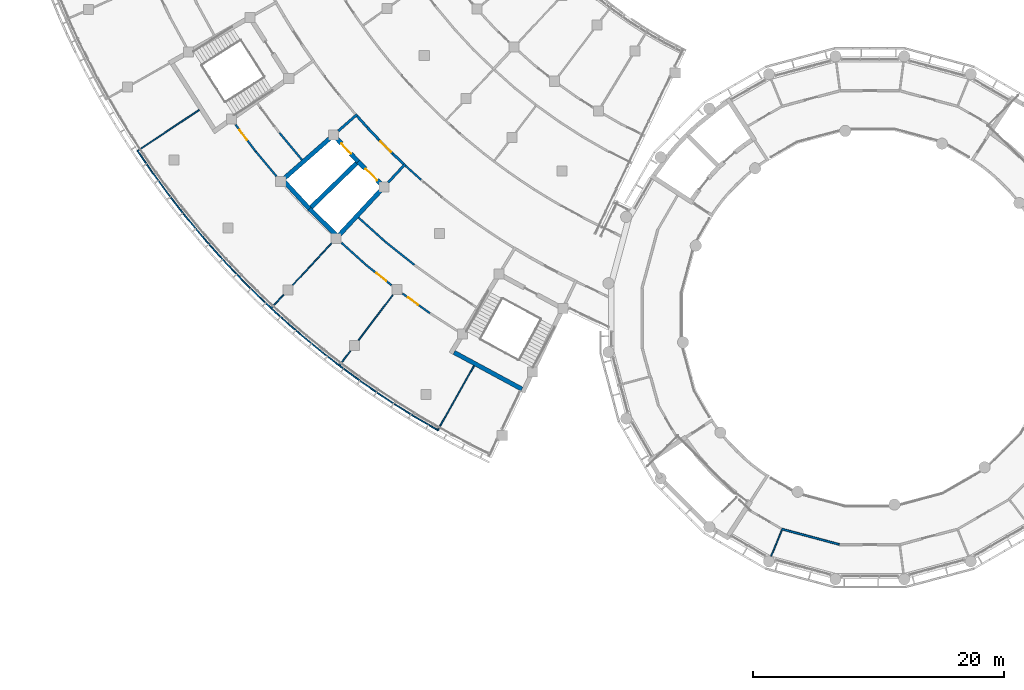
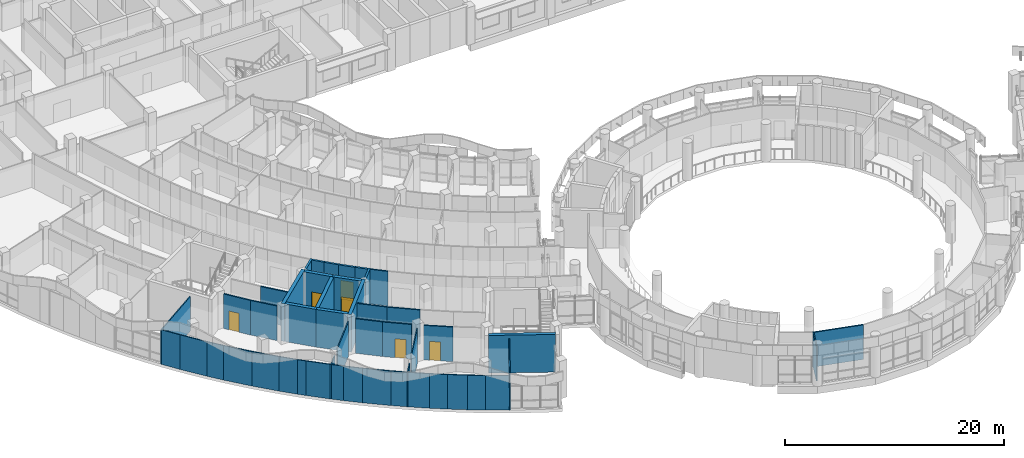
# One storey, part 44 of 109: 48 walls, 6 doors, 6 openings.
"""IFC4 building model written with IfcOpenShell, lengths in metres."""

from ifc_helpers import new_model, si_unit, direction, frame, frame_2d, origin, place, context, subcontext, project, spatial, rectangle, extrude, material, layer, layer_set, type_object, element, fill, save


model = new_model("IFC4")

# Units and contexts
model_context = context("Model", 3, precision=1e-05, world=origin(), true_north=direction((0.0, 1.0)))
body_context = subcontext(model_context, "Body", "Model", "MODEL_VIEW")
ifc_project = project(units=[si_unit("LENGTHUNIT", "METRE"), si_unit("AREAUNIT", "SQUARE_METRE"), si_unit("VOLUMEUNIT", "CUBIC_METRE"), si_unit("PLANEANGLEUNIT", "RADIAN"), si_unit("MASSUNIT", "GRAM", prefix="KILO")], contexts=[model_context])

# Site, building, storey
site_placement = place(None, origin())
site = spatial("IfcSite", under=ifc_project, at=site_placement, CompositionType="ELEMENT")
building_placement = place(site_placement, origin())
building = spatial("IfcBuilding", under=site, at=building_placement, Name="Bougainvillea Quay General Hospital", CompositionType="ELEMENT")
storey_placement = place(building_placement, frame((0.0, 0.0, 12.60009765625)))
storey = spatial("IfcBuildingStorey", under=building, at=storey_placement, Name="L02", CompositionType="ELEMENT", Elevation=12.60009765625)

# Walls
ifc_material_1 = material(Name="Gypsum board partition on steel studs", Category="steel")
ifc_layer_1 = layer(ifc_material_1, 0.10009765625)
ifc_layer_set_1 = layer_set([ifc_layer_1], Name="Gypsum board partition on steel studs")
wall_type_1 = type_object("IfcWallType", Name="Partition 100 Gypsum board partition EI 30", PredefinedType="PARTITIONING", material=ifc_layer_set_1)
wall_1_placement = place(storey_placement, frame((61.48681640625, 74.719482421875, 0.0), z_axis=(0.0, 0.0, 1.0), x_axis=(0.681355821593, 0.731952351168, 0.0)))
element("IfcWall", 1, at=wall_1_placement, inside=storey, type_object=wall_type_1, Name="Partition 100 mm EI 30", PredefinedType="PARTITIONING", context=body_context, shape_type="SweptSolid", body=[
    extrude(rectangle(XDim=1.51025390625, YDim=0.10009765625, at=frame_2d((0.755126953125, 0.0))), origin(), (0.0, 0.0, 1.0), 3.849853515625),
])
wall_2_placement = place(storey_placement, frame((63.244140625, 76.607421875, 0.0), z_axis=(0.0, 0.0, 1.0), x_axis=(0.681263193371, 0.732038565485, 0.0)))
element("IfcWall", 2, at=wall_2_placement, inside=storey, type_object=wall_type_1, Name="Partition 100 mm EI 30", PredefinedType="PARTITIONING", context=body_context, shape_type="SweptSolid", body=[
    extrude(rectangle(XDim=4.529296875, YDim=0.10009765625, at=frame_2d((2.2646484375, 0.0))), origin(), (0.0, 0.0, 1.0), 3.849853515625),
])
wall_3_placement = place(storey_placement, frame((66.923828125, 70.150146484375, 0.0), z_axis=(0.0, 0.0, 1.0), x_axis=(0.603623668166, 0.797269381846, 0.0)))
element("IfcWall", 3, at=wall_3_placement, inside=storey, type_object=wall_type_1, Name="Partition 100 mm EI 30", PredefinedType="PARTITIONING", context=body_context, shape_type="SweptSolid", body=[
    extrude(rectangle(XDim=1.506591796875, YDim=0.10009765625, at=frame_2d((0.75341796875, 0.0))), origin(), (0.0, 0.0, 1.0), 3.849853515625),
])
wall_4_placement = place(storey_placement, frame((68.4833984375, 72.210693359375, 0.0), z_axis=(0.0, 0.0, 1.0), x_axis=(0.603594766434, 0.797291262923, 0.0)))
element("IfcWall", 4, at=wall_4_placement, inside=storey, type_object=wall_type_1, Name="Partition 100 mm EI 30", PredefinedType="PARTITIONING", context=body_context, shape_type="SweptSolid", body=[
    extrude(rectangle(XDim=4.523681640625, YDim=0.10009765625, at=frame_2d((2.26171875, 0.0))), origin(), (0.0, 0.0, 1.0), 3.849853515625),
])
wall_5_placement = place(storey_placement, frame((74.763427734375, 65.00439453125, 0.0), z_axis=(0.0, 0.0, 1.0), x_axis=(0.491667244237, 0.870783165285, 0.0)))
element("IfcWall", 5, at=wall_5_placement, inside=storey, type_object=wall_type_1, Name="Partition 100 mm EI 30", PredefinedType="PARTITIONING", context=body_context, shape_type="SweptSolid", body=[
    extrude(rectangle(XDim=5.94140625, YDim=0.10009765625, at=frame_2d((2.970703125, 0.0))), origin(), (0.0, 0.0, 1.0), 3.849853515625),
])
wall_6_placement = place(storey_placement, frame((50.84228515625, 87.26220703125, 0.0), z_axis=(0.0, 0.0, 1.0), x_axis=(0.833066771492, 0.553172445297, 0.0)))
element("IfcWall", 6, at=wall_6_placement, inside=storey, type_object=wall_type_1, Name="Partition 100 mm EI 30", PredefinedType="PARTITIONING", context=body_context, shape_type="SweptSolid", body=[
    extrude(rectangle(XDim=5.94091796875, YDim=0.10009765625, at=frame_2d((2.970458984375, 0.0))), origin(), (0.0, 0.0, 1.0), 3.849853515625),
])
wall_7_placement = place(storey_placement, frame((101.335205078125, 55.01220703125, 0.0), z_axis=(0.0, 0.0, 1.0), x_axis=(0.382736345947, 0.923857613213, 0.0)))
element("IfcWall", 7, at=wall_7_placement, inside=storey, type_object=wall_type_1, Name="Partition 100 mm EI 30", PredefinedType="PARTITIONING", context=body_context, shape_type="SweptSolid", body=[
    extrude(rectangle(XDim=2.24267578125, YDim=0.10009765625, at=frame_2d((1.121337890625, 0.0))), origin(), (0.0, 0.0, 1.0), 3.849853515625),
])
wall_8_placement = place(storey_placement, frame((54.56201171875, 82.247314453125, 0.0), z_axis=(0.0, 0.0, 1.0), x_axis=(0.640436201221, -0.768011375024, 0.0)))
element("IfcWall", 8, at=wall_8_placement, inside=storey, type_object=wall_type_1, Name="Partition 100 mm EI 30", PredefinedType="PARTITIONING", context=body_context, shape_type="SweptSolid", body=[
    extrude(rectangle(XDim=2.765380859375, YDim=0.10009765625, at=frame_2d((1.3828125, 0.0))), origin(), (0.0, 0.0, 1.0), 3.849853515625),
])
wall_9_placement = place(storey_placement, frame((56.333251953125, 80.126220703125, 0.0), z_axis=(0.0, 0.0, 1.0), x_axis=(0.66858915831, -0.743631990564, 0.0)))
element("IfcWall", 9, at=wall_9_placement, inside=storey, type_object=wall_type_1, Name="Partition 100 mm EI 30", PredefinedType="PARTITIONING", context=body_context, shape_type="SweptSolid", body=[
    extrude(rectangle(XDim=2.58642578125, YDim=0.10009765625, at=frame_2d((1.293212890625, 0.0))), origin(), (0.0, 0.0, 1.0), 3.849853515625),
])
wall_10_placement = place(storey_placement, frame((51.95947265625, 85.711181640625, 0.0), z_axis=(0.0, 0.0, 1.0), x_axis=(0.591667432582, -0.806182143949, 0.0)))
element("IfcWall", 10, at=wall_10_placement, inside=storey, type_object=wall_type_1, Name="Partition 100 mm EI 30", PredefinedType="PARTITIONING", context=body_context, shape_type="SweptSolid", body=[
    extrude(rectangle(XDim=2.6826171875, YDim=0.10009765625, at=frame_2d((1.34130859375, 0.0))), origin(), (0.0, 0.0, 1.0), 3.849853515625),
])
wall_11_placement = place(storey_placement, frame((63.71044921875, 72.80078125, 0.0), z_axis=(0.0, 0.0, 1.0), x_axis=(0.771761657829, -0.635911899169, 0.0)))
element("IfcWall", 11, at=wall_11_placement, inside=storey, type_object=wall_type_1, Name="Partition 100 mm EI 30", PredefinedType="PARTITIONING", context=body_context, shape_type="SweptSolid", body=[
    extrude(rectangle(XDim=2.676025390625, YDim=0.10009765625, at=frame_2d((1.337890625, 0.0))), origin(), (0.0, 0.0, 1.0), 3.849853515625),
])
wall_12_placement = place(storey_placement, frame((59.848876953125, 76.361572265625, 0.0), z_axis=(0.0, 0.0, 1.0), x_axis=(0.721335676567, -0.692585620492, 0.0)))
element("IfcWall", 12, at=wall_12_placement, inside=storey, type_object=wall_type_1, Name="Partition 100 mm EI 30", PredefinedType="PARTITIONING", context=body_context, shape_type="SweptSolid", body=[
    extrude(rectangle(XDim=2.267333984375, YDim=0.10009765625, at=frame_2d((1.1337890625, 0.0))), origin(), (0.0, 0.0, 1.0), 3.849853515625),
])
wall_13_placement = place(storey_placement, frame((72.868896484375, 66.167236328125, 0.0), z_axis=(0.0, 0.0, 1.0), x_axis=(0.863807451605, -0.50382207827, 0.0)))
element("IfcWall", 13, at=wall_13_placement, inside=storey, type_object=wall_type_1, Name="Partition 100 mm EI 30", PredefinedType="PARTITIONING", context=body_context, shape_type="SweptSolid", body=[
    extrude(rectangle(XDim=2.1708984375, YDim=0.10009765625, at=frame_2d((1.08544921875, 0.0))), origin(), (0.0, 0.0, 1.0), 3.849853515625),
])
wall_14_placement = place(storey_placement, frame((50.91259765625, 87.248291015625, 0.0), z_axis=(0.0, 0.0, 1.0), x_axis=(0.563658336128, -0.826008038771, 0.0)))
element("IfcWall", 14, at=wall_14_placement, inside=storey, type_object=wall_type_1, Name="Partition 100 mm EI 30", PredefinedType="PARTITIONING", context=body_context, shape_type="SweptSolid", body=[
    extrude(rectangle(XDim=1.861083984375, YDim=0.10009765625, at=frame_2d((0.9306640625, 0.0))), origin(), (0.0, 0.0, 1.0), 3.849853515625),
])
wall_15_placement = place(storey_placement, frame((66.994873046875, 70.159912109375, 0.0), z_axis=(0.0, 0.0, 1.0), x_axis=(0.805218695453, -0.592977952788, 0.0)))
element("IfcWall", 15, at=wall_15_placement, inside=storey, type_object=wall_type_1, Name="Partition 100 mm EI 30", PredefinedType="PARTITIONING", context=body_context, shape_type="SweptSolid", body=[
    extrude(rectangle(XDim=1.958984375, YDim=0.10009765625, at=frame_2d((0.9794921875, 0.0))), origin(), (0.0, 0.0, 1.0), 3.849853515625),
])
wall_16_placement = place(storey_placement, frame((62.393310546875, 73.955810546875, 0.0), z_axis=(0.0, 0.0, 1.0), x_axis=(0.75241276557, -0.658691908412, 0.0)))
element("IfcWall", 16, at=wall_16_placement, inside=storey, type_object=wall_type_1, Name="Partition 100 mm EI 30", PredefinedType="PARTITIONING", context=body_context, shape_type="SweptSolid", body=[
    extrude(rectangle(XDim=1.753173828125, YDim=0.10009765625, at=frame_2d((0.87646484375, 0.0))), origin(), (0.0, 0.0, 1.0), 3.849853515625),
])
wall_17_placement = place(storey_placement, frame((53.546875, 83.55078125, 0.0), z_axis=(0.0, 0.0, 1.0), x_axis=(0.615268617412, -0.788317530205, 0.0)))
element("IfcWall", 17, at=wall_17_placement, inside=storey, type_object=wall_type_1, Name="Partition 100 mm EI 30", PredefinedType="PARTITIONING", context=body_context, shape_type="SweptSolid", body=[
    extrude(rectangle(XDim=1.653564453125, YDim=0.10009765625, at=frame_2d((0.82666015625, 0.0))), origin(), (0.0, 0.0, 1.0), 3.849853515625),
])
wall_18_placement = place(storey_placement, frame((58.0625, 78.204833984375, 0.0), z_axis=(0.0, 0.0, 1.0), x_axis=(0.691314467962, -0.722554016242, 0.0)))
element("IfcWall", 18, at=wall_18_placement, inside=storey, type_object=wall_type_1, Name="Partition 100 mm EI 30", PredefinedType="PARTITIONING", context=body_context, shape_type="SweptSolid", body=[
    extrude(rectangle(XDim=1.75048828125, YDim=0.10009765625, at=frame_2d((0.875244140625, 0.0))), origin(), (0.0, 0.0, 1.0), 3.849853515625),
])
wall_19_placement = place(storey_placement, frame((69.92626953125, 68.0576171875, 0.0), z_axis=(0.0, 0.0, 1.0), x_axis=(0.834762349, -0.55061040736, 0.0)))
element("IfcWall", 19, at=wall_19_placement, inside=storey, type_object=wall_type_1, Name="Partition 100 mm EI 30", PredefinedType="PARTITIONING", context=body_context, shape_type="SweptSolid", body=[
    extrude(rectangle(XDim=1.848876953125, YDim=0.10009765625, at=frame_2d((0.92431640625, 0.0))), origin(), (0.0, 0.0, 1.0), 3.849853515625),
])
for number, where, z_axis, x_axis, name in (
    (20, (68.572021484375, 69.000244140625, 0.0), (0.0, 0.0, 1.0), (0.821158255206, -0.570700551872, 0.0), "Partition 100 mm EI 30"),
    (21, (71.469482421875, 67.041259765625, 0.0), (0.0, 0.0, 1.0), (0.848628949845, -0.528988568388, 0.0), "Partition 100 mm EI 30"),
):
    element("IfcWall", number, at=place(storey_placement, frame(where, z_axis=z_axis, x_axis=x_axis)), inside=storey, type_object=wall_type_1, Name=name, PredefinedType="PARTITIONING", context=body_context, shape_type="SweptSolid", body=[
        extrude(rectangle(XDim=1.6513671875, YDim=0.10009765625, at=frame_2d((0.82568359375, 0.0))), origin(), (0.0, 0.0, 1.0), 3.849853515625),
    ])
wall_20_placement = place(storey_placement, frame((65.775390625, 71.101318359375, 0.0), z_axis=(0.0, 0.0, 1.0), x_axis=(0.791120835922, -0.611659891581, 0.0)))
element("IfcWall", 22, at=wall_20_placement, inside=storey, type_object=wall_type_1, Name="Partition 100 mm EI 30", PredefinedType="PARTITIONING", context=body_context, shape_type="SweptSolid", body=[
    extrude(rectangle(XDim=1.439208984375, YDim=0.10009765625, at=frame_2d((0.7197265625, 0.0))), origin(), (0.0, 0.0, 1.0), 3.849853515625),
])
wall_21_placement = place(storey_placement, frame((61.55810546875, 74.721923828125, 0.0), z_axis=(0.0, 0.0, 1.0), x_axis=(0.737725592981, -0.675100695794, 0.0)))
element("IfcWall", 23, at=wall_21_placement, inside=storey, type_object=wall_type_1, Name="Partition 100 mm EI 30", PredefinedType="PARTITIONING", context=body_context, shape_type="SweptSolid", body=[
    extrude(rectangle(XDim=1.134521484375, YDim=0.10009765625, at=frame_2d((0.5673828125, 0.0))), origin(), (0.0, 0.0, 1.0), 3.849853515625),
])
wall_22_placement = place(storey_placement, frame((59.272705078125, 76.94140625, 0.0), z_axis=(0.0, 0.0, 1.0), x_axis=(0.705912346609, -0.708299201542, 0.0)))
element("IfcWall", 24, at=wall_22_placement, inside=storey, type_object=wall_type_1, Name="Partition 100 mm EI 30", PredefinedType="PARTITIONING", context=body_context, shape_type="SweptSolid", body=[
    extrude(rectangle(XDim=0.818359375, YDim=0.10009765625, at=frame_2d((0.4091796875, 0.0))), origin(), (0.0, 0.0, 1.0), 3.849853515625),
])
ifc_material_2 = material(Name="Gypsum board partition on steel studs, insulated", Category="steel")
ifc_layer_2 = layer(ifc_material_2, 0.14990234375)
ifc_layer_set_2 = layer_set([ifc_layer_2], Name="Gypsum board partition on steel studs, insulated")
wall_type_2 = type_object("IfcWallType", Name="Partition 150 Gypsum board partition EI 30", PredefinedType="PARTITIONING", material=ifc_layer_set_2)
wall_23_placement = place(storey_placement, frame((102.152587890625, 57.179443359375, 0.0), z_axis=(0.0, 0.0, 1.0), x_axis=(0.965887773881, -0.258961016886, 0.0)))
element("IfcWall", 25, at=wall_23_placement, inside=storey, type_object=wall_type_2, Name="Partition 150 mm EI 30", PredefinedType="PARTITIONING", context=body_context, shape_type="SweptSolid", body=[
    extrude(rectangle(XDim=4.774169921875, YDim=0.14990234375, at=frame_2d((2.38720703125, 0.0))), origin(), (0.0, 0.0, 1.0), 3.849853515625),
])

# Wall, opening, door
wall_24_placement = place(storey_placement, frame((58.695068359375, 89.372802734375, 0.0), z_axis=(0.0, 0.0, 1.0), x_axis=(0.600189191088, -0.799858071724, 0.0)))
wall_24 = element("IfcWall", 26, at=wall_24_placement, inside=storey, type_object=wall_type_2, Name="Partition 150 mm EI 30", PredefinedType="PARTITIONING", context=body_context, shape_type="SweptSolid", body=[
    extrude(rectangle(XDim=2.683837890625, YDim=0.14990234375, at=frame_2d((1.341796875, 0.0))), origin(), (0.0, 0.0, 1.0), 3.849853515625),
])
opening_1_placement = place(wall_24_placement, frame((0.5263671875, 0.0, 0.0)))
opening_1 = element("IfcOpeningElement", 27, at=opening_1_placement, cuts=wall_24, Name="Opening L02.204", PredefinedType="OPENING", context=body_context, shape_type="SweptSolid", body=[
    extrude(rectangle(XDim=1.0, YDim=2.10009765625, at=frame_2d((0.5, 1.050048828125))), frame((0.0, 0.0849609375, 0.0), z_axis=(0.0, -1.0, 0.0), x_axis=(1.0, 0.0, 0.0)), (0.0, 0.0, 1.0), 0.169921875),
])
ifc_material_3 = material(Name="Solid-core timber door leaf in steel frame", Category="steel")
door_type_1 = type_object("IfcDoorType", Name="Single leaf door 1000x2100 FD30S", OperationType="NOTDEFINED", PredefinedType="DOOR", material=ifc_material_3)
door_1_placement = place(opening_1_placement, frame((1.0, 0.0, 0.0), z_axis=(0.0, 0.0, 1.0), x_axis=(-1.0, 0.0, 0.0)))
door_1 = element("IfcDoor", 28, at=door_1_placement, inside=storey, type_object=door_type_1, Name="DT15 L02.204", OperationType="SINGLE_SWING_RIGHT", OverallHeight=2.10009765625, OverallWidth=1.0, PredefinedType="DOOR", context=body_context, shape_type="SweptSolid", body=[
    extrude(rectangle(XDim=1.0, YDim=2.10009765625, at=frame_2d((0.5, 1.050048828125))), frame((0.0, 0.02490234375, 0.0), z_axis=(0.0, -1.0, 0.0), x_axis=(1.0, 0.0, 0.0)), (0.0, 0.0, 1.0), 0.050048828125),
])
fill(opening_1, door_1)

wall_25_placement = place(storey_placement, frame((71.98193359375, 75.928955078125, 0.0), z_axis=(0.0, 0.0, 1.0), x_axis=(0.812329236441, -0.583199118332, 0.0)))
wall_25 = element("IfcWall", 29, at=wall_25_placement, inside=storey, type_object=wall_type_2, Name="Partition 150 mm EI 30", PredefinedType="PARTITIONING", context=body_context, shape_type="SweptSolid", body=[
    extrude(rectangle(XDim=2.694580078125, YDim=0.14990234375, at=frame_2d((1.34716796875, 0.0))), origin(), (0.0, 0.0, 1.0), 3.849853515625),
])
opening_2_placement = place(wall_25_placement, frame((0.537353515625, 0.0, 0.0)))
opening_2 = element("IfcOpeningElement", 30, at=opening_2_placement, cuts=wall_25, Name="Opening L02.202", PredefinedType="OPENING", context=body_context, shape_type="SweptSolid", body=[
    extrude(rectangle(XDim=1.0, YDim=2.10009765625, at=frame_2d((0.5, 1.050048828125))), frame((0.0, 0.0849609375, 0.0), z_axis=(0.0, -1.0, 0.0), x_axis=(1.0, 0.0, 0.0)), (0.0, 0.0, 1.0), 0.169921875),
])
door_2_placement = place(opening_2_placement, frame((1.0, 0.0, 0.0), z_axis=(0.0, 0.0, 1.0), x_axis=(-1.0, 0.0, 0.0)))
door_2 = element("IfcDoor", 31, at=door_2_placement, inside=storey, type_object=door_type_1, Name="DT15 L02.202", OperationType="SINGLE_SWING_RIGHT", OverallHeight=2.10009765625, OverallWidth=1.0, PredefinedType="DOOR", context=body_context, shape_type="SweptSolid", body=[
    extrude(rectangle(XDim=1.0, YDim=2.10009765625, at=frame_2d((0.5, 1.050048828125))), frame((0.0, 0.02490234375, 0.0), z_axis=(0.0, -1.0, 0.0), x_axis=(1.0, 0.0, 0.0)), (0.0, 0.0, 1.0), 0.050048828125),
])
fill(opening_2, door_2)

# Wall
wall_26_placement = place(storey_placement, frame((60.306640625, 87.231201171875, 0.0), z_axis=(0.0, 0.0, 1.0), x_axis=(0.64023135863, -0.768182144694, 0.0)))
element("IfcWall", 32, at=wall_26_placement, inside=storey, type_object=wall_type_2, Name="Partition 150 mm EI 30", PredefinedType="PARTITIONING", context=body_context, shape_type="SweptSolid", body=[
    extrude(rectangle(XDim=2.556884765625, YDim=0.14990234375, at=frame_2d((1.2783203125, 0.0))), origin(), (0.0, 0.0, 1.0), 3.849853515625),
])

# Wall, opening, door
wall_27_placement = place(storey_placement, frame((69.00634765625, 78.266845703125, 0.0), z_axis=(0.0, 0.0, 1.0), x_axis=(0.781841800916, -0.623476862715, 0.0)))
wall_27 = element("IfcWall", 33, at=wall_27_placement, inside=storey, type_object=wall_type_2, Name="Partition 150 mm EI 30", PredefinedType="PARTITIONING", context=body_context, shape_type="SweptSolid", body=[
    extrude(rectangle(XDim=2.690185546875, YDim=0.14990234375, at=frame_2d((1.34521484375, 0.0))), origin(), (0.0, 0.0, 1.0), 3.849853515625),
])
opening_3_placement = place(wall_27_placement, frame((1.1572265625, 0.0, 0.0)))
opening_3 = element("IfcOpeningElement", 34, at=opening_3_placement, cuts=wall_27, Name="Opening L02.203", PredefinedType="OPENING", context=body_context, shape_type="SweptSolid", body=[
    extrude(rectangle(XDim=1.0, YDim=2.10009765625, at=frame_2d((0.5, 1.050048828125))), frame((0.0, 0.0849609375, 0.0), z_axis=(0.0, -1.0, 0.0), x_axis=(1.0, 0.0, 0.0)), (0.0, 0.0, 1.0), 0.169921875),
])
door_3_placement = place(opening_3_placement, frame((1.0, 0.0, 0.0), z_axis=(0.0, 0.0, 1.0), x_axis=(-1.0, 0.0, 0.0)))
door_3 = element("IfcDoor", 35, at=door_3_placement, inside=storey, type_object=door_type_1, Name="DT15 L02.203", OperationType="SINGLE_SWING_LEFT", OverallHeight=2.10009765625, OverallWidth=1.0, PredefinedType="DOOR", context=body_context, shape_type="SweptSolid", body=[
    extrude(rectangle(XDim=1.0, YDim=2.10009765625, at=frame_2d((0.5, 1.050048828125))), frame((0.0, 0.02490234375, 0.0), z_axis=(0.0, -1.0, 0.0), x_axis=(1.0, 0.0, 0.0)), (0.0, 0.0, 1.0), 0.050048828125),
])
fill(opening_3, door_3)

# Walls
wall_28_placement = place(storey_placement, frame((67.119873046875, 79.970703125, 0.0), z_axis=(0.0, 0.0, 1.0), x_axis=(0.743284610851, -0.668975326355, 0.0)))
element("IfcWall", 36, at=wall_28_placement, inside=storey, type_object=wall_type_2, Name="Partition 150 mm EI 30", PredefinedType="PARTITIONING", context=body_context, shape_type="SweptSolid", body=[
    extrude(rectangle(XDim=2.546142578125, YDim=0.14990234375, at=frame_2d((1.27294921875, 0.0))), origin(), (0.0, 0.0, 1.0), 3.849853515625),
])
wall_29_placement = place(storey_placement, frame((70.55029296875, 80.104736328125, 0.0), z_axis=(0.0, 0.0, 1.0), x_axis=(0.781595469587, -0.623785637797, 0.0)))
element("IfcWall", 37, at=wall_29_placement, inside=storey, type_object=wall_type_2, Name="Partition 150 mm EI 30", PredefinedType="PARTITIONING", context=body_context, shape_type="SweptSolid", body=[
    extrude(rectangle(XDim=3.046142578125, YDim=0.14990234375, at=frame_2d((1.52294921875, 0.0))), origin(), (0.0, 0.0, 1.0), 3.849853515625),
])
wall_30_placement = place(storey_placement, frame((62.188720703125, 88.72021484375, 0.0), z_axis=(0.0, 0.0, 1.0), x_axis=(0.640253147886, -0.7681639842, 0.0)))
element("IfcWall", 38, at=wall_30_placement, inside=storey, type_object=wall_type_2, Name="Partition 150 mm EI 30", PredefinedType="PARTITIONING", context=body_context, shape_type="SweptSolid", body=[
    extrude(rectangle(XDim=2.794189453125, YDim=0.14990234375, at=frame_2d((1.39697265625, 0.0))), origin(), (0.0, 0.0, 1.0), 3.849853515625),
])
wall_31_placement = place(storey_placement, frame((68.478271484375, 81.97412109375, 0.0), z_axis=(0.0, 0.0, 1.0), x_axis=(0.743546016741, -0.66868476952, 0.0)))
element("IfcWall", 39, at=wall_31_placement, inside=storey, type_object=wall_type_2, Name="Partition 150 mm EI 30", PredefinedType="PARTITIONING", context=body_context, shape_type="SweptSolid", body=[
    extrude(rectangle(XDim=2.794921875, YDim=0.14990234375, at=frame_2d((1.3974609375, 0.0))), origin(), (0.0, 0.0, 1.0), 3.849853515625),
])
wall_32_placement = place(storey_placement, frame((72.219970703125, 86.104736328125, 0.0), z_axis=(0.0, 0.0, 1.0), x_axis=(0.743337937966, -0.668916070954, 0.0)))
element("IfcWall", 40, at=wall_32_placement, inside=storey, type_object=wall_type_2, Name="Partition 150 mm EI 30", PredefinedType="PARTITIONING", context=body_context, shape_type="SweptSolid", body=[
    extrude(rectangle(XDim=1.663330078125, YDim=0.14990234375, at=frame_2d((0.83154296875, 0.0))), origin(), (0.0, 0.0, 1.0), 3.849853515625),
])
ifc_material_4 = material(Name="Fire-rated autoclaved aerated block wall, plastered")
ifc_layer_3 = layer(ifc_material_4, 0.199951171875)
ifc_layer_set_3 = layer_set([ifc_layer_3], Name="Fire-rated autoclaved aerated block wall, plastered")
wall_type_3 = type_object("IfcWallType", Name="Partition 200 Fire-rated autoclaved aerated block wall EI 120", PredefinedType="SOLIDWALL", material=ifc_layer_set_3)
wall_33_placement = place(storey_placement, frame((70.83740234375, 84.768798828125, 0.0), z_axis=(0.0, 0.0, 1.0), x_axis=(0.681244203436, 0.732056237789, 0.0)))
element("IfcWall", 41, at=wall_33_placement, inside=storey, type_object=wall_type_3, Name="Partition 200 mm EI 120", PredefinedType="SOLIDWALL", context=body_context, shape_type="SweptSolid", body=[
    extrude(rectangle(XDim=2.01806640625, YDim=0.199951171875, at=frame_2d((1.009033203125, 0.0))), origin(), (0.0, 0.0, 1.0), 3.849853515625),
])
wall_34_placement = place(storey_placement, frame((66.869140625, 88.874267578125, 0.0), z_axis=(0.0, 0.0, 1.0), x_axis=(0.751874567132, 0.659306177205, 0.0)))
element("IfcWall", 42, at=wall_34_placement, inside=storey, type_object=wall_type_3, Name="Partition 200 mm EI 120", PredefinedType="SOLIDWALL", context=body_context, shape_type="SweptSolid", body=[
    extrude(rectangle(XDim=2.00439453125, YDim=0.199951171875, at=frame_2d((1.002197265625, 0.0))), origin(), (0.0, 0.0, 1.0), 3.849853515625),
])

# Wall, opening, door
wall_35_placement = place(storey_placement, frame((70.101318359375, 88.173828125, 0.0), z_axis=(0.0, 0.0, 1.0), x_axis=(0.705714994949, -0.708495833371, 0.0)))
wall_35 = element("IfcWall", 43, at=wall_35_placement, inside=storey, type_object=wall_type_3, Name="Partition 200 mm EI 120", PredefinedType="SOLIDWALL", context=body_context, shape_type="SweptSolid", body=[
    extrude(rectangle(XDim=1.580322265625, YDim=0.199951171875, at=frame_2d((0.7900390625, 0.0))), origin(), (0.0, 0.0, 1.0), 3.849853515625),
])
opening_4_placement = place(wall_35_placement, frame((0.190185546875, 0.0, 0.0)))
opening_4 = element("IfcOpeningElement", 44, at=opening_4_placement, cuts=wall_35, Name="Opening L02.187", PredefinedType="OPENING", context=body_context, shape_type="SweptSolid", body=[
    extrude(rectangle(XDim=1.199951171875, YDim=2.10009765625, at=frame_2d((0.60009765625, 1.050048828125))), frame((0.0, 0.10986328125, 0.0), z_axis=(0.0, -1.0, 0.0), x_axis=(1.0, 0.0, 0.0)), (0.0, 0.0, 1.0), 0.219970703125),
])
door_type_2 = type_object("IfcDoorType", Name="Single leaf door 1200x2100 FD60", OperationType="NOTDEFINED", PredefinedType="DOOR", material=ifc_material_3)
door_4_placement = place(opening_4_placement, frame((1.199951171875, 0.0, 0.0), z_axis=(0.0, 0.0, 1.0), x_axis=(-1.0, 0.0, 0.0)))
door_4 = element("IfcDoor", 45, at=door_4_placement, inside=storey, type_object=door_type_2, Name="DT12 L02.187", OperationType="SINGLE_SWING_LEFT", OverallHeight=2.10009765625, OverallWidth=1.199951171875, PredefinedType="DOOR", context=body_context, shape_type="SweptSolid", body=[
    extrude(rectangle(XDim=1.199951171875, YDim=2.10009765625, at=frame_2d((0.60009765625, 1.050048828125))), frame((0.0, 0.02490234375, 0.0), z_axis=(0.0, -1.0, 0.0), x_axis=(1.0, 0.0, 0.0)), (0.0, 0.0, 1.0), 0.050048828125),
])
fill(opening_4, door_4)

# Walls
wall_36_placement = place(storey_placement, frame((69.1552734375, 89.177490234375, 0.0), z_axis=(0.0, 0.0, 1.0), x_axis=(0.687313254989, -0.726361128858, 0.0)))
element("IfcWall", 46, at=wall_36_placement, inside=storey, type_object=wall_type_3, Name="Partition 200 mm EI 120", PredefinedType="SOLIDWALL", context=body_context, shape_type="SweptSolid", body=[
    extrude(rectangle(XDim=1.3818359375, YDim=0.199951171875, at=frame_2d((0.69091796875, 0.0))), origin(), (0.0, 0.0, 1.0), 3.849853515625),
])
for number, where, z_axis, x_axis, name in (
    (47, (68.368896484375, 90.0546875, 0.0), (0.0, 0.0, 1.0), (0.669113274241, -0.74316043102, 0.0), "Partition 200 mm EI 120"),
    (48, (71.216552734375, 87.0576171875, 0.0), (0.0, 0.0, 1.0), (0.723660671666, -0.6901559478, 0.0), "Partition 200 mm EI 120"),
):
    element("IfcWall", number, at=place(storey_placement, frame(where, z_axis=z_axis, x_axis=x_axis)), inside=storey, type_object=wall_type_3, Name=name, PredefinedType="SOLIDWALL", context=body_context, shape_type="SweptSolid", body=[
        extrude(rectangle(XDim=1.180419921875, YDim=0.199951171875, at=frame_2d((0.59033203125, 0.0))), origin(), (0.0, 0.0, 1.0), 3.849853515625),
    ])
ifc_material_5 = material(Name="Concrete C40", Category="concrete")
ifc_layer_4 = layer(ifc_material_5, 0.35009765625)
ifc_layer_set_4 = layer_set([ifc_layer_4], Name="Concrete C40")
wall_type_4 = type_object("IfcWallType", Name="RC SHEAR WALL 350 C40", PredefinedType="SHEAR", material=ifc_layer_set_4)
wall_37_placement = place(storey_placement, frame((62.305419921875, 84.87158203125, 0.0), z_axis=(0.0, 0.0, 1.0), x_axis=(0.751808220443, 0.659381831471, 0.0)))
element("IfcWall", 49, at=wall_37_placement, inside=storey, type_object=wall_type_4, Name="Shear wall L02", PredefinedType="SHEAR", context=body_context, shape_type="SweptSolid", body=[
    extrude(rectangle(XDim=5.75048828125, YDim=0.35009765625, at=frame_2d((2.875244140625, 0.0))), origin(), (0.0, 0.0, 1.0), 4.199951171875),
])
wall_38_placement = place(storey_placement, frame((62.5556640625, 84.8583984375, 0.0), z_axis=(0.0, 0.0, 1.0), x_axis=(0.67818124014, -0.73489469009, 0.0)))
element("IfcWall", 50, at=wall_38_placement, inside=storey, type_object=wall_type_4, Name="Shear wall L02", PredefinedType="SHEAR", context=body_context, shape_type="SweptSolid", body=[
    extrude(rectangle(XDim=2.974609375, YDim=0.35009765625, at=frame_2d((1.4873046875, 0.0))), origin(), (0.0, 0.0, 1.0), 4.199951171875),
])
wall_39_placement = place(storey_placement, frame((64.5791015625, 82.665771484375, 0.0), z_axis=(0.0, 0.0, 1.0), x_axis=(0.714695816666, -0.699435407769, 0.0)))
element("IfcWall", 51, at=wall_39_placement, inside=storey, type_object=wall_type_4, Name="Shear wall L02", PredefinedType="SHEAR", context=body_context, shape_type="SweptSolid", body=[
    extrude(rectangle(XDim=2.9755859375, YDim=0.35009765625, at=frame_2d((1.48779296875, 0.0))), origin(), (0.0, 0.0, 1.0), 4.199951171875),
])
wall_40_placement = place(storey_placement, frame((64.70166015625, 82.791015625, 0.0), z_axis=(0.0, 0.0, 1.0), x_axis=(0.717400873641, 0.696660596345, 0.0)))
element("IfcWall", 52, at=wall_40_placement, inside=storey, type_object=wall_type_4, Name="Shear wall L02", PredefinedType="SHEAR", context=body_context, shape_type="SweptSolid", body=[
    extrude(rectangle(XDim=5.0498046875, YDim=0.35009765625, at=frame_2d((2.52490234375, 0.0))), origin(), (0.0, 0.0, 1.0), 4.199951171875),
])
wall_41_placement = place(storey_placement, frame((66.7119140625, 80.333984375, 0.0), z_axis=(0.0, 0.0, 1.0), x_axis=(0.681084356202, 0.732204957465, 0.0)))
element("IfcWall", 53, at=wall_41_placement, inside=storey, type_object=wall_type_4, Name="Shear wall L02", PredefinedType="SHEAR", context=body_context, shape_type="SweptSolid", body=[
    extrude(rectangle(XDim=5.75, YDim=0.35009765625, at=frame_2d((2.875, 0.0))), origin(), (0.0, 0.0, 1.0), 4.199951171875),
])

# Wall, opening, door
wall_42_placement = place(storey_placement, frame((68.447021484375, 86.434326171875, 0.0), z_axis=(0.0, 0.0, 1.0), x_axis=(-0.678058558992, 0.735007884704, 0.0)))
wall_42 = element("IfcWall", 54, at=wall_42_placement, inside=storey, type_object=wall_type_4, Name="Shear wall L02", PredefinedType="SHEAR", context=body_context, shape_type="SweptSolid", body=[
    extrude(rectangle(XDim=2.70068359375, YDim=0.35009765625, at=frame_2d((1.350341796875, 0.0))), origin(), (0.0, 0.0, 1.0), 4.199951171875),
])
opening_5_placement = place(wall_42_placement, frame((0.85009765625, 0.0, 0.0)))
opening_5 = element("IfcOpeningElement", 55, at=opening_5_placement, cuts=wall_42, Name="Opening LD-W1.2-L02", PredefinedType="OPENING", context=body_context, shape_type="SweptSolid", body=[
    extrude(rectangle(XDim=1.10009765625, YDim=2.10009765625, at=frame_2d((0.550048828125, 1.050048828125))), frame((0.0, 0.18505859375, 0.0), z_axis=(0.0, -1.0, 0.0), x_axis=(1.0, 0.0, 0.0)), (0.0, 0.0, 1.0), 0.3701171875),
])
ifc_material_6 = material(Name="Stainless steel centre-opening landing door", Category="steel")
door_type_3 = type_object("IfcDoorType", Name="Lift landing door 1100x2100 E 120", OperationType="DOUBLE_DOOR_SLIDING", PredefinedType="DOOR", material=ifc_material_6)
door_5_placement = place(opening_5_placement, origin())
door_5 = element("IfcDoor", 56, at=door_5_placement, inside=storey, type_object=door_type_3, Name="Lift landing door LB-W1-2 L02", OperationType="DOUBLE_DOOR_SLIDING", OverallHeight=2.10009765625, OverallWidth=1.10009765625, PredefinedType="DOOR", context=body_context, shape_type="SweptSolid", body=[
    extrude(rectangle(XDim=1.10009765625, YDim=2.10009765625, at=frame_2d((0.550048828125, 1.050048828125))), frame((0.0, 0.02490234375, 0.0), z_axis=(0.0, -1.0, 0.0), x_axis=(1.0, 0.0, 0.0)), (0.0, 0.0, 1.0), 0.050048828125),
])
fill(opening_5, door_5)

wall_43_placement = place(storey_placement, frame((70.384033203125, 84.538330078125, 0.0), z_axis=(0.0, 0.0, 1.0), x_axis=(-0.714701443082, 0.699429658548, 0.0)))
wall_43 = element("IfcWall", 57, at=wall_43_placement, inside=storey, type_object=wall_type_4, Name="Shear wall L02", PredefinedType="SHEAR", context=body_context, shape_type="SweptSolid", body=[
    extrude(rectangle(XDim=2.70166015625, YDim=0.35009765625, at=frame_2d((1.350830078125, 0.0))), origin(), (0.0, 0.0, 1.0), 4.199951171875),
])
opening_6_placement = place(wall_43_placement, frame((0.580810546875, 0.0, 0.0)))
opening_6 = element("IfcOpeningElement", 58, at=opening_6_placement, cuts=wall_43, Name="Opening LD-W1.1-L02", PredefinedType="OPENING", context=body_context, shape_type="SweptSolid", body=[
    extrude(rectangle(XDim=1.300048828125, YDim=2.10009765625, at=frame_2d((0.64990234375, 1.050048828125))), frame((0.0, 0.18505859375, 0.0), z_axis=(0.0, -1.0, 0.0), x_axis=(1.0, 0.0, 0.0)), (0.0, 0.0, 1.0), 0.3701171875),
])
door_type_4 = type_object("IfcDoorType", Name="Lift landing door 1300x2100 E 120", OperationType="DOUBLE_DOOR_SLIDING", PredefinedType="DOOR", material=ifc_material_6)
door_6_placement = place(opening_6_placement, origin())
door_6 = element("IfcDoor", 59, at=door_6_placement, inside=storey, type_object=door_type_4, Name="Lift landing door LB-W1-1 L02", OperationType="DOUBLE_DOOR_SLIDING", OverallHeight=2.10009765625, OverallWidth=1.300048828125, PredefinedType="DOOR", context=body_context, shape_type="SweptSolid", body=[
    extrude(rectangle(XDim=1.300048828125, YDim=2.10009765625, at=frame_2d((0.64990234375, 1.050048828125))), frame((0.0, 0.02490234375, 0.0), z_axis=(0.0, -1.0, 0.0), x_axis=(1.0, 0.0, 0.0)), (0.0, 0.0, 1.0), 0.050048828125),
])
fill(opening_6, door_6)

# Wall
wall_44_placement = place(storey_placement, frame((81.4931640625, 68.318359375, 0.0), z_axis=(0.0, 0.0, 1.0), x_axis=(-0.87961028102, 0.475695021546, 0.0)))
element("IfcWall", 60, at=wall_44_placement, inside=storey, type_object=wall_type_4, Name="Shear wall L02", PredefinedType="SHEAR", context=body_context, shape_type="SweptSolid", body=[
    extrude(rectangle(XDim=6.13916015625, YDim=0.35009765625, at=frame_2d((3.069580078125, 0.0))), origin(), (0.0, 0.0, 1.0), 4.199951171875),
])

save(model, "model.ifc")
